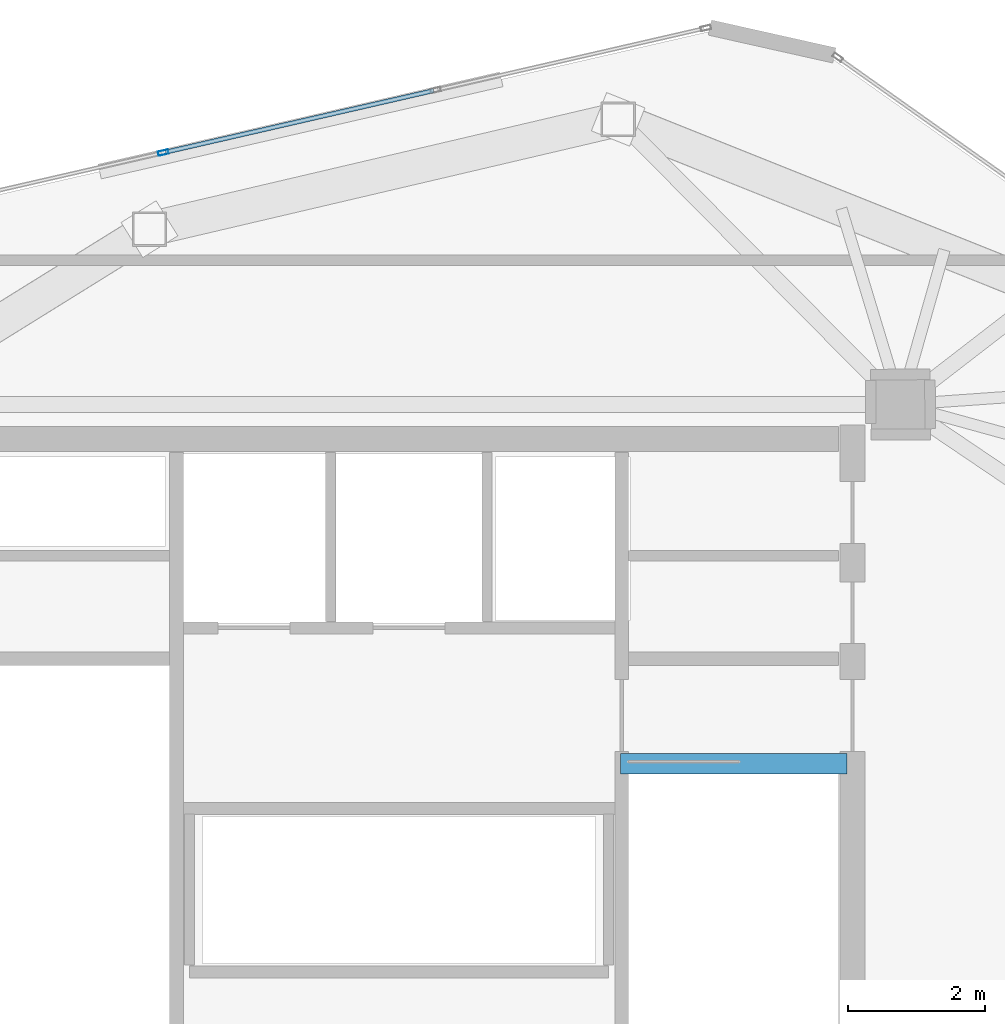
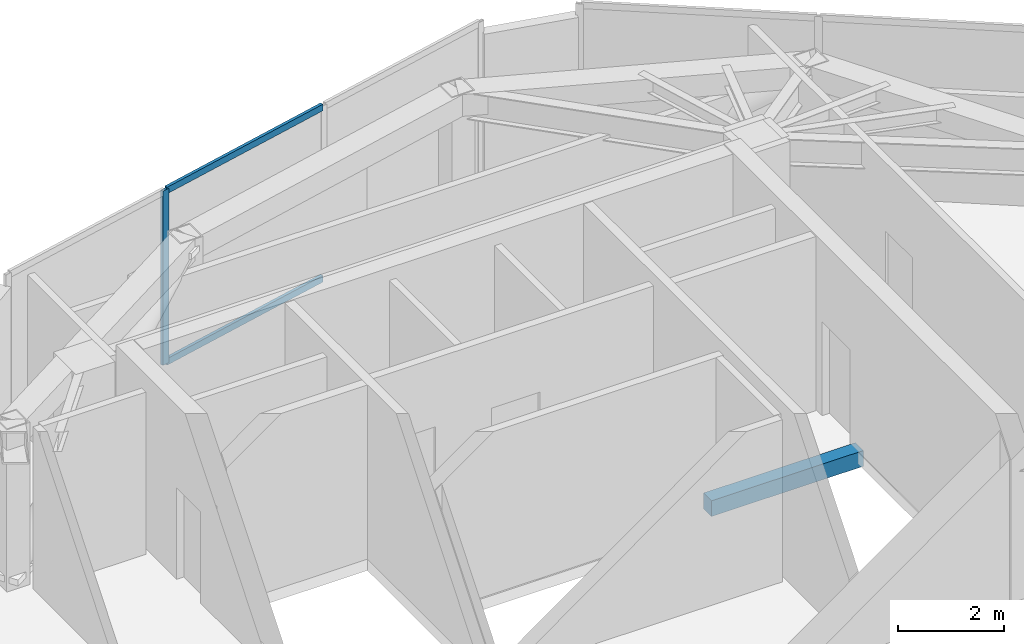
# One storey, part 12 of 20: 3 members, 1 beam, 1 element without a shape of its own.
"""IFC4 building model written with IfcOpenShell, lengths in metres."""

from ifc_helpers import new_model, si_unit, direction, frame, origin, origin_2d, place, context, subcontext, project, spatial, rectangle, hollow_rectangle, extrude, source, transform, mapped, material, layer, layer_set, material_profile, profile_set, type_object, type_shapes, element, aggregate, save


model = new_model("IFC4")

# Units and contexts
model_context = context("Model", 3, precision=1e-05, world=origin(), true_north=direction((0.0, 1.0)))
body_context = subcontext(model_context, "Body", "Model", "MODEL_VIEW")
ifc_project = project(units=[si_unit("LENGTHUNIT", "METRE"), si_unit("AREAUNIT", "SQUARE_METRE"), si_unit("VOLUMEUNIT", "CUBIC_METRE"), si_unit("PLANEANGLEUNIT", "RADIAN"), si_unit("MASSUNIT", "GRAM", prefix="KILO")], contexts=[model_context])

# Site, building, storey
site_placement = place(None, origin())
site = spatial("IfcSite", under=ifc_project, at=site_placement, CompositionType="ELEMENT")
building_placement = place(site_placement, origin())
building = spatial("IfcBuilding", under=site, at=building_placement, Name="Talar Marvaseh", CompositionType="ELEMENT")
storey_placement = place(building_placement, frame((0.0, 0.0, 312.0)))
storey = spatial("IfcBuildingStorey", under=building, at=storey_placement, Name="L83", CompositionType="ELEMENT", Elevation=312.0)

# Beam
ifc_material_1 = material(Name="Concrete C40/50", Category="concrete")
ifc_material_profile_1 = material_profile(ifc_material_1, rectangle(XDim=0.300048828125, YDim=0.360107421875, at=origin_2d()), Name="RC300x360")
ifc_profile_set_1 = profile_set([ifc_material_profile_1], Name="Concrete C40/50")
beam_type = type_object("IfcBeamType", Name="Concrete Stair Landing Trimmer Beam RC300x360", PredefinedType="SPANDREL", material=ifc_profile_set_1)
beam_placement = place(storey_placement, frame((29.219970703125, 31.669921875, -0.179931640625), z_axis=(1.0, 0.0, 0.0), x_axis=(0.0, 1.0, 0.0)))
element("IfcBeam", 1, at=beam_placement, inside=storey, type_object=beam_type, Name="L83 ST-2 Stair Nosing Trimmer Beam", PredefinedType="SPANDREL", context=body_context, shape_type="SweptSolid", body=[
    extrude(rectangle(XDim=0.300048828125, YDim=0.360107421875, at=origin_2d()), origin(), (0.0, 0.0, 1.0), 3.300048828125),
])

# Curtain wall, members
ifc_material_2 = material(Name="Architectural Aluminium", Category="aluminium")
ifc_layer = layer(ifc_material_2, 0.2099609375)
ifc_layer_set = layer_set([ifc_layer], Name="Architectural Aluminium")
curtain_wall_type = type_object("IfcCurtainWallType", Name="Crown Plant Acoustic Spandrel Curtain Wall", PredefinedType="NOTDEFINED", material=ifc_layer_set)
curtain_wall_placement = place(storey_placement, origin())
curtain_wall = element("IfcCurtainWall", 2, at=curtain_wall_placement, inside=storey, type_object=curtain_wall_type, Name="L83 Crown Plant Acoustic Spandrel Curtain Wall", PredefinedType="NOTDEFINED")
ifc_material_profile_2 = material_profile(ifc_material_2, hollow_rectangle(XDim=0.06494140625, YDim=0.14990234375, WallThickness=0.00390625, at=origin_2d()), Name="RHS150x65x4")
ifc_profile_set_2 = profile_set([ifc_material_profile_2], Name="Architectural Aluminium")
member_type_1 = type_object("IfcMemberType", Name="Unitised Curtain Wall Slim Transom RHS150x65x4", PredefinedType="USERDEFINED", material=ifc_profile_set_2)
shared_shape_1 = source(origin(), body_context, "Body", "SweptSolid", [
    extrude(hollow_rectangle(XDim=0.06494140625, YDim=0.14990234375, WallThickness=0.00390625, at=origin_2d()), origin(), (0.0, 0.0, 1.0), 4.00390625),
])
type_shapes(member_type_1, [shared_shape_1])
member_1_placement = place(storey_placement, frame((22.5986328125, 40.5751953125, 0.032470703125), z_axis=(0.974639299304, 0.223781670949, 0.0), x_axis=(-0.223781670949, 0.974639299304, 0.0)))
member_1 = element("IfcMember", 3, at=member_1_placement, type_object=member_type_1, Name="CW-CRN transom 2.1", ObjectType="TRANSOM", PredefinedType="USERDEFINED", context=body_context, shape_type="MappedRepresentation", body=[
    mapped(shared_shape_1, transform((0.0, 0.0, 0.0), x_axis=(1.0, 0.0, 0.0), y_axis=(0.0, 1.0, 0.0), z_axis=(0.0, 0.0, 1.0), scale=1.0)),
])
member_2_placement = place(storey_placement, frame((22.5986328125, 40.5751953125, 3.967529296875), z_axis=(0.974639299304, 0.223781670949, 0.0), x_axis=(-0.223781670949, 0.974639299304, 0.0)))
member_2 = element("IfcMember", 4, at=member_2_placement, type_object=member_type_1, Name="CW-CRN transom 2.2", ObjectType="TRANSOM", PredefinedType="USERDEFINED", context=body_context, shape_type="MappedRepresentation", body=[
    mapped(shared_shape_1, transform((0.0, 0.0, 0.0), x_axis=(1.0, 0.0, 0.0), y_axis=(0.0, 1.0, 0.0), z_axis=(0.0, 0.0, 1.0), scale=1.0)),
])
ifc_material_profile_3 = material_profile(ifc_material_2, hollow_rectangle(XDim=0.06494140625, YDim=0.14990234375, WallThickness=0.00390625, at=origin_2d()), Name="RHS150x65x4")
ifc_profile_set_3 = profile_set([ifc_material_profile_3], Name="Architectural Aluminium")
member_type_2 = type_object("IfcMemberType", Name="Unitised Curtain Wall Slim Mullion RHS150x65x4", PredefinedType="MULLION", material=ifc_profile_set_3)
shared_shape_2 = source(origin(), body_context, "Body", "SweptSolid", [
    extrude(hollow_rectangle(XDim=0.06494140625, YDim=0.14990234375, WallThickness=0.00390625, at=origin_2d()), origin(), (0.0, 0.0, 1.0), 4.0),
])
type_shapes(member_type_2, [shared_shape_2])
member_3_placement = place(storey_placement, frame((22.567138671875, 40.568115234375, 0.0), z_axis=(0.0, 0.0, 1.0), x_axis=(-0.223791926761, 0.974636944465, 0.0)))
member_3 = element("IfcMember", 5, at=member_3_placement, type_object=member_type_2, Name="CW-CRN mullion 2", PredefinedType="MULLION", context=body_context, shape_type="MappedRepresentation", body=[
    mapped(shared_shape_2, transform((0.0, 0.0, 0.0), x_axis=(1.0, 0.0, 0.0), y_axis=(0.0, 1.0, 0.0), z_axis=(0.0, 0.0, 1.0), scale=1.0)),
])
aggregate(curtain_wall, [member_3, member_1, member_2])

save(model, "model.ifc")
